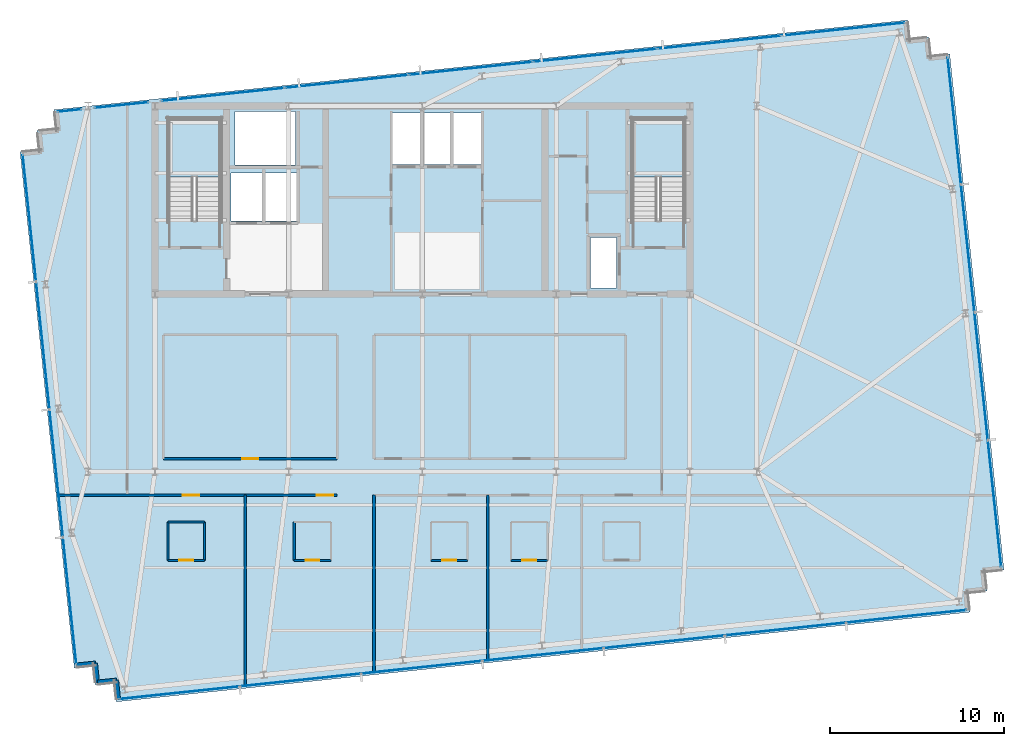
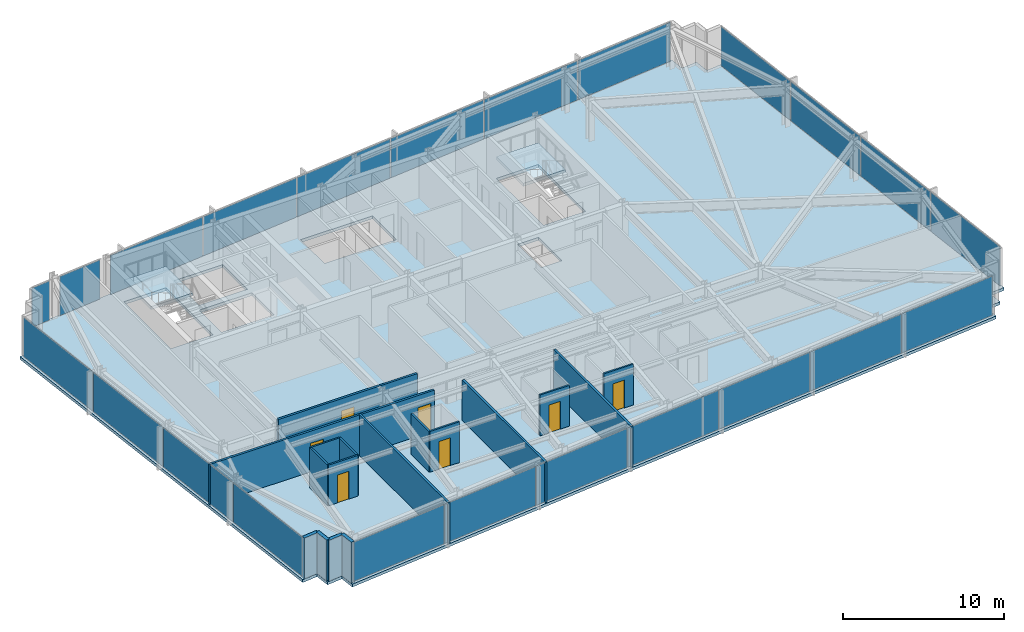
# One storey, part 26 of 33: 23 plates, 17 walls, 7 doors, 3 slabs, 7 openings, 8 elements without a shape of their own.
"""IFC4 building model written with IfcOpenShell, lengths in metres."""

import ifcopenshell
import ifcopenshell.guid

model = None  # the IFC model being written
_history = None  # IfcOwnerHistory: only IFC2X3 demands one
_inside = {}  # id of a spatial element -> (the spatial element, [elements in it])
_under = {}  # id of a project, library or spatial element -> (it, [spatial elements below it])
_declared = {}  # id of a project -> (the project, [libraries it declares])
_typed = {}  # id of a type object -> (the type object, [elements of that type])
_made_of = {}  # id of a material, layer set ... -> (it, [elements and type objects made of it])


def new_model(schema):
    """Start an empty IFC model of exactly this schema.

    Asked for "IFC4X3", IfcOpenShell would pick the latest addendum, in which some entities
    have other attributes; the version numbers below select the first issue.
    IFC2X3 requires an IfcOwnerHistory on every rooted entity: one is made here for all.
    """
    global model, _history
    if schema == "IFC4X3":
        model = ifcopenshell.file(schema_version=(4, 3, 0, 0))
    else:
        model = ifcopenshell.file(schema=schema)
    _inside.clear()
    _under.clear()
    _declared.clear()
    _typed.clear()
    _made_of.clear()
    _history = None
    if model.schema == "IFC2X3":
        org = make("IfcOrganization", Name="unknown")
        user = make(
            "IfcPersonAndOrganization",
            ThePerson=make("IfcPerson", FamilyName="unknown"),
            TheOrganization=org,
        )
        app = make(
            "IfcApplication",
            ApplicationDeveloper=org,
            Version="unknown",
            ApplicationFullName="unknown",
            ApplicationIdentifier="unknown",
        )
        _history = make(
            "IfcOwnerHistory",
            OwningUser=user,
            OwningApplication=app,
            ChangeAction="ADDED",
            CreationDate=0,
        )
    return model


def make(cls, **values):
    """One entity of the class cls with the attributes given. An attribute that is None is left unset."""
    return model.create_entity(
        cls, **{name: value for name, value in values.items() if value is not None}
    )


def rooted(cls, **values):
    """An entity with a GlobalId (a new one), such as an element, a storey or a relation."""
    return make(cls, GlobalId=ifcopenshell.guid.new(), OwnerHistory=_history, **values)


def si_unit(unit_type, name, prefix=None):
    """IfcSIUnit, for example si_unit("LENGTHUNIT", "METRE", prefix="MILLI")."""
    return make("IfcSIUnit", UnitType=unit_type, Prefix=prefix, Name=name)


def assignment(units):
    """IfcUnitAssignment: the units of a project."""
    return None if units is None else make("IfcUnitAssignment", Units=units)


def point(xyz):
    """IfcCartesianPoint."""
    return None if xyz is None else make("IfcCartesianPoint", Coordinates=xyz)


def direction(xyz):
    """IfcDirection."""
    return None if xyz is None else make("IfcDirection", DirectionRatios=xyz)


def frame(location, z_axis=None, x_axis=None):
    """IfcAxis2Placement3D, a coordinate frame: its origin and axes. An axis left out is left unset."""
    return make(
        "IfcAxis2Placement3D",
        Location=point(location),
        Axis=direction(z_axis),
        RefDirection=direction(x_axis),
    )


def frame_2d(location, x_axis=None):
    """IfcAxis2Placement2D, a coordinate frame in the plane: its origin and x axis."""
    return make(
        "IfcAxis2Placement2D", Location=point(location), RefDirection=direction(x_axis)
    )


def origin():
    """The frame at (0, 0, 0) with its axes left unset."""
    return frame((0.0, 0.0, 0.0))


def origin_2d():
    """The frame at (0, 0) in the plane with its x axis left unset."""
    return frame_2d((0.0, 0.0))


def place(relative_to, where):
    """IfcLocalPlacement: puts the frame where relative to a parent placement (None: the world)."""
    return make(
        "IfcLocalPlacement", PlacementRelTo=relative_to, RelativePlacement=where
    )


def context(
    kind, dimensions, precision=None, world=None, true_north=None, identifier=None
):
    """IfcGeometricRepresentationContext, for example the 3D "Model" context."""
    return make(
        "IfcGeometricRepresentationContext",
        ContextIdentifier=identifier,
        ContextType=kind,
        CoordinateSpaceDimension=dimensions,
        Precision=precision,
        WorldCoordinateSystem=world,
        TrueNorth=true_north,
    )


def subcontext(parent, identifier, kind, view, scale=None):
    """IfcGeometricRepresentationSubContext, for example "Body" below "Model"."""
    return make(
        "IfcGeometricRepresentationSubContext",
        ContextIdentifier=identifier,
        ContextType=kind,
        ParentContext=parent,
        TargetScale=scale,
        TargetView=view,
    )


def project(units=None, contexts=None):
    """IfcProject with its units and contexts."""
    return rooted(
        "IfcProject",
        Name="project",
        RepresentationContexts=contexts,
        UnitsInContext=assignment(units),
    )


def spatial(cls, under=None, at=None, **own):
    """A site, building, storey or space (cls), placed at a placement, below another one or the project."""
    s = rooted(cls, ObjectPlacement=at, **own)
    if under is not None:
        _under.setdefault(under.id(), (under, []))[1].append(s)
    return s


def polyline(points):
    """IfcPolyline through the points."""
    return make("IfcPolyline", Points=[point(p) for p in points])


def profile(cls, at=None, kind="AREA", **sizes):
    """A parametric profile (cls). Its sizes go by their IFC names, for example OverallWidth=200.0."""
    return make(cls, ProfileType=kind, Position=at, **sizes)


def rectangle(**sizes):
    """IfcRectangleProfileDef."""
    return profile("IfcRectangleProfileDef", **sizes)


def outline(outer, holes=None, kind="AREA"):
    """IfcArbitraryClosedProfileDef: a profile drawn as a closed curve; with holes, ...WithVoids."""
    if holes is None:
        return make("IfcArbitraryClosedProfileDef", ProfileType=kind, OuterCurve=outer)
    return make(
        "IfcArbitraryProfileDefWithVoids",
        ProfileType=kind,
        OuterCurve=outer,
        InnerCurves=holes,
    )


def extrude(swept, where, along, depth):
    """IfcExtrudedAreaSolid: the profile swept, set in the frame where, extruded along a direction by depth."""
    return make(
        "IfcExtrudedAreaSolid",
        SweptArea=swept,
        Position=where,
        ExtrudedDirection=direction(along),
        Depth=depth,
    )


def shape(context_of_items, identifier, shape_type, items):
    """IfcShapeRepresentation: the items that make up one representation, for example the "Body"."""
    return make(
        "IfcShapeRepresentation",
        ContextOfItems=context_of_items,
        RepresentationIdentifier=identifier,
        RepresentationType=shape_type,
        Items=items,
    )


def material(Name=None, Category=None):
    """IfcMaterial."""
    return make("IfcMaterial", Name=Name, Category=Category)


def layer(
    of_material, thickness, ventilated=None, Name=None, Category=None, Priority=None
):
    """IfcMaterialLayer: one layer of a wall or slab, of a material (None: an air gap)."""
    return make(
        "IfcMaterialLayer",
        Material=of_material,
        LayerThickness=thickness,
        IsVentilated=ventilated,
        Name=Name,
        Category=Category,
        Priority=Priority,
    )


def layer_set(layers, Name=None):
    """IfcMaterialLayerSet."""
    return make("IfcMaterialLayerSet", MaterialLayers=layers, LayerSetName=Name)


def made_of(thing, what):
    """Note that an element or type object is made of a material, layer set ...; save() writes the relation."""
    if what is not None:
        _made_of.setdefault(what.id(), (what, []))[1].append(thing)
    return thing


def type_object(cls, material=None, **own):
    """A type object (cls), such as IfcWallType, which elements share."""
    return made_of(rooted(cls, **own), material)


def element(
    cls,
    number,
    at=None,
    inside=None,
    cuts=None,
    type_object=None,
    material=None,
    context=None,
    identifier="Body",
    shape_type=None,
    held_by="IfcProductDefinitionShape",
    body=None,
    shapes=None,
    **own,
):
    """One element of the class cls, such as IfcWall. Its Tag is "e" and its number.

    at: its placement. inside: the storey or other place that contains it. cuts: it is an
    opening in that element (IfcRelVoidsElement). A single representation is given by context,
    identifier, shape_type and body (its items); several are given by shapes. held_by: the class
    of the entity that holds the representations. save() writes the other relations.
    """
    e = rooted(cls, Tag="e%d" % number, ObjectPlacement=at, **own)
    if body is not None:
        shapes = [shape(context, identifier, shape_type, body)]
    if shapes is not None:
        e.Representation = make(held_by, Representations=shapes)
    if inside is not None:
        _inside.setdefault(inside.id(), (inside, []))[1].append(e)
    if cuts is not None:
        rooted(
            "IfcRelVoidsElement", RelatingBuildingElement=cuts, RelatedOpeningElement=e
        )
    if type_object is not None:
        _typed.setdefault(type_object.id(), (type_object, []))[1].append(e)
    return made_of(e, material)


def fill(opening, filler):
    """IfcRelFillsElement: the door or window that sits in an opening."""
    return rooted(
        "IfcRelFillsElement",
        RelatingOpeningElement=opening,
        RelatedBuildingElement=filler,
    )


def aggregate(whole, parts):
    """IfcRelAggregates: a whole, such as a stair, and the parts it consists of."""
    return rooted("IfcRelAggregates", RelatingObject=whole, RelatedObjects=parts)


def save(model, path):
    """Write the relations noted so far, then the file.

    IfcRelAggregates (storeys below a building ...), IfcRelContainedInSpatialStructure (elements
    in a storey), IfcRelDefinesByType, IfcRelAssociatesMaterial and IfcRelDeclares: one each for
    every whole, place, type object, material and project.
    """
    for whole, parts in _under.values():
        aggregate(whole, parts)
    for where, things in _inside.values():
        rooted(
            "IfcRelContainedInSpatialStructure",
            RelatedElements=things,
            RelatingStructure=where,
        )
    for kind, things in _typed.values():
        rooted("IfcRelDefinesByType", RelatedObjects=things, RelatingType=kind)
    for what, things in _made_of.values():
        rooted("IfcRelAssociatesMaterial", RelatedObjects=things, RelatingMaterial=what)
    for by, libraries in _declared.values():
        rooted("IfcRelDeclares", RelatingContext=by, RelatedDefinitions=libraries)
    model.write(path)


model = new_model("IFC4")

# Units and contexts
model_context = context("Model", 3, precision=1e-05, world=origin(), true_north=direction((0.0, 1.0)))
body_context = subcontext(model_context, "Body", "Model", "MODEL_VIEW")
ifc_project = project(units=[si_unit("LENGTHUNIT", "METRE"), si_unit("AREAUNIT", "SQUARE_METRE"), si_unit("VOLUMEUNIT", "CUBIC_METRE"), si_unit("PLANEANGLEUNIT", "RADIAN"), si_unit("MASSUNIT", "GRAM", prefix="KILO")], contexts=[model_context])

# Site, building, storey
site_placement = place(None, origin())
site = spatial("IfcSite", under=ifc_project, at=site_placement, CompositionType="ELEMENT")
building_placement = place(site_placement, origin())
building = spatial("IfcBuilding", under=site, at=building_placement, Name="Yelkora Congress Tower", CompositionType="ELEMENT")
storey_placement = place(building_placement, frame((0.0, 0.0, 221.0)))
storey = spatial("IfcBuildingStorey", under=building, at=storey_placement, Name="L61", CompositionType="ELEMENT", Elevation=221.0)

# Curtain wall, plates
ifc_material_1 = material(Name="Anodised aluminium and insulated glass", Category="aluminium")
curtain_wall_type = type_object("IfcCurtainWallType", Name="CW-SYS-B4", PredefinedType="NOTDEFINED", material=ifc_material_1)
curtain_wall_1_placement = place(storey_placement, origin())
curtain_wall_1 = element("IfcCurtainWall", 1, at=curtain_wall_1_placement, inside=storey, type_object=curtain_wall_type, Name="L61 Unitised Curtain Wall 5", PredefinedType="NOTDEFINED")
ifc_material_2 = material(Name="Triple-silver diplomatic glass unit B4", Category="glass")
ifc_layer_1 = layer(ifc_material_2, 0.035888671875)
ifc_layer_set_1 = layer_set([ifc_layer_1], Name="Triple-silver diplomatic glass unit B4")
plate_type = type_object("IfcPlateType", Name="PLT-PN-B4", PredefinedType="CURTAIN_PANEL", material=ifc_layer_set_1)
plate_1_placement = place(storey_placement, frame((18.139404296875, 17.7724609375, 0.06005859375), z_axis=(0.0, 0.0, 1.0), x_axis=(-0.104526079034, 0.994522145958, 0.0)))
plate_1 = element("IfcPlate", 2, at=plate_1_placement, type_object=plate_type, Name="CW-B4 panel 1.1", PredefinedType="CURTAIN_PANEL", context=body_context, shape_type="SweptSolid", body=[
    extrude(rectangle(XDim=7.282470703125, YDim=0.035888671875, at=origin_2d()), origin(), (0.0, 0.0, 1.0), 2.9599609375),
])
plate_2_placement = place(storey_placement, frame((17.36962890625, 25.095703125, 0.06005859375), z_axis=(0.0, 0.0, 1.0), x_axis=(-0.104526079034, 0.994522145958, 0.0)))
plate_2 = element("IfcPlate", 3, at=plate_2_placement, type_object=plate_type, Name="CW-B4 panel 2.1", PredefinedType="CURTAIN_PANEL", context=body_context, shape_type="SweptSolid", body=[
    extrude(rectangle(XDim=7.31494140625, YDim=0.035888671875, at=origin_2d()), origin(), (0.0, 0.0, 1.0), 2.9599609375),
])
plate_3_placement = place(storey_placement, frame((16.59814453125, 32.435302734375, 0.06005859375), z_axis=(0.0, 0.0, 1.0), x_axis=(-0.104526079034, 0.994522145958, 0.0)))
plate_3 = element("IfcPlate", 4, at=plate_3_placement, type_object=plate_type, Name="CW-B4 panel 3.1", PredefinedType="CURTAIN_PANEL", context=body_context, shape_type="SweptSolid", body=[
    extrude(rectangle(XDim=7.31494140625, YDim=0.035888671875, at=origin_2d()), origin(), (0.0, 0.0, 1.0), 2.9599609375),
])
plate_4_placement = place(storey_placement, frame((15.82861328125, 39.7587890625, 0.06005859375), z_axis=(0.0, 0.0, 1.0), x_axis=(-0.104526079034, 0.994522145958, 0.0)))
plate_4 = element("IfcPlate", 5, at=plate_4_placement, type_object=plate_type, Name="CW-B4 panel 4.1", PredefinedType="CURTAIN_PANEL", context=body_context, shape_type="SweptSolid", body=[
    extrude(rectangle(XDim=7.282470703125, YDim=0.035888671875, at=origin_2d()), origin(), (0.0, 0.0, 1.0), 2.9599609375),
])
aggregate(curtain_wall_1, [plate_1, plate_2, plate_3, plate_4])

# Curtain wall, plate
curtain_wall_2_placement = place(storey_placement, origin())
curtain_wall_2 = element("IfcCurtainWall", 6, at=curtain_wall_2_placement, inside=storey, type_object=curtain_wall_type, Name="L61 Unitised Curtain Wall 10 (1)", PredefinedType="NOTDEFINED")
plate_5_placement = place(storey_placement, frame((18.136474609375, 45.940185546875, 0.06005859375), z_axis=(0.0, 0.0, 1.0), x_axis=(0.994523910137, 0.104509292244, 0.0)))
plate_5 = element("IfcPlate", 7, at=plate_5_placement, type_object=plate_type, Name="CW-B4 panel 1.1", PredefinedType="CURTAIN_PANEL", context=body_context, shape_type="SweptSolid", body=[
    extrude(rectangle(XDim=1.35302734375, YDim=0.035888671875, at=origin_2d()), origin(), (0.0, 0.0, 1.0), 2.9599609375),
])
aggregate(curtain_wall_2, [plate_5])

curtain_wall_3_placement = place(storey_placement, origin())
curtain_wall_3 = element("IfcCurtainWall", 8, at=curtain_wall_3_placement, inside=storey, type_object=curtain_wall_type, Name="L61 Unitised Curtain Wall 10 (2)", PredefinedType="NOTDEFINED")
plate_6_placement = place(storey_placement, frame((21.1201171875, 46.253662109375, 0.06005859375), z_axis=(0.0, 0.0, 1.0), x_axis=(0.994524239868, 0.104506154437, 0.0)))
plate_6 = element("IfcPlate", 9, at=plate_6_placement, type_object=plate_type, Name="CW-B4 panel 1.1", PredefinedType="CURTAIN_PANEL", context=body_context, shape_type="SweptSolid", body=[
    extrude(rectangle(XDim=3.075439453125, YDim=0.035888671875, at=origin_2d()), origin(), (0.0, 0.0, 1.0), 2.9599609375),
])
aggregate(curtain_wall_3, [plate_6])

# Curtain wall, plates
curtain_wall_4_placement = place(storey_placement, origin())
curtain_wall_4 = element("IfcCurtainWall", 10, at=curtain_wall_4_placement, inside=storey, type_object=curtain_wall_type, Name="L61 Unitised Curtain Wall 10 (3)", PredefinedType="NOTDEFINED")
plate_7_placement = place(storey_placement, frame((26.947509765625, 46.8662109375, 0.06005859375), z_axis=(0.0, 0.0, 1.0), x_axis=(0.994521973066, 0.104527724021, 0.0)))
plate_7 = element("IfcPlate", 11, at=plate_7_placement, type_object=plate_type, Name="CW-B4 panel 1.1", PredefinedType="CURTAIN_PANEL", context=body_context, shape_type="SweptSolid", body=[
    extrude(rectangle(XDim=7.072509765625, YDim=0.035888671875, at=origin_2d()), origin(), (0.0, 0.0, 1.0), 2.9599609375),
])
plate_8_placement = place(storey_placement, frame((34.06201171875, 47.614013671875, 0.06005859375), z_axis=(0.0, 0.0, 1.0), x_axis=(0.994521973066, 0.104527724021, 0.0)))
plate_8 = element("IfcPlate", 12, at=plate_8_placement, type_object=plate_type, Name="CW-B4 panel 2.1", PredefinedType="CURTAIN_PANEL", context=body_context, shape_type="SweptSolid", body=[
    extrude(rectangle(XDim=7.10498046875, YDim=0.035888671875, at=origin_2d()), origin(), (0.0, 0.0, 1.0), 2.9599609375),
])
plate_9_placement = place(storey_placement, frame((41.19287109375, 48.363525390625, 0.06005859375), z_axis=(0.0, 0.0, 1.0), x_axis=(0.994521973066, 0.104527724021, 0.0)))
plate_9 = element("IfcPlate", 13, at=plate_9_placement, type_object=plate_type, Name="CW-B4 panel 3.1", PredefinedType="CURTAIN_PANEL", context=body_context, shape_type="SweptSolid", body=[
    extrude(rectangle(XDim=7.10498046875, YDim=0.035888671875, at=origin_2d()), origin(), (0.0, 0.0, 1.0), 2.9599609375),
])
plate_10_placement = place(storey_placement, frame((48.32373046875, 49.113037109375, 0.06005859375), z_axis=(0.0, 0.0, 1.0), x_axis=(0.994521973066, 0.104527724021, 0.0)))
plate_10 = element("IfcPlate", 14, at=plate_10_placement, type_object=plate_type, Name="CW-B4 panel 4.1", PredefinedType="CURTAIN_PANEL", context=body_context, shape_type="SweptSolid", body=[
    extrude(rectangle(XDim=7.10498046875, YDim=0.035888671875, at=origin_2d()), origin(), (0.0, 0.0, 1.0), 2.9599609375),
])
plate_11_placement = place(storey_placement, frame((55.454345703125, 49.8623046875, 0.06005859375), z_axis=(0.0, 0.0, 1.0), x_axis=(0.994521973066, 0.104527724021, 0.0)))
plate_11 = element("IfcPlate", 15, at=plate_11_placement, type_object=plate_type, Name="CW-B4 panel 5.1", PredefinedType="CURTAIN_PANEL", context=body_context, shape_type="SweptSolid", body=[
    extrude(rectangle(XDim=7.10498046875, YDim=0.035888671875, at=origin_2d()), origin(), (0.0, 0.0, 1.0), 2.9599609375),
])
plate_12_placement = place(storey_placement, frame((62.56884765625, 50.610107421875, 0.06005859375), z_axis=(0.0, 0.0, 1.0), x_axis=(0.994521973066, 0.104527724021, 0.0)))
plate_12 = element("IfcPlate", 16, at=plate_12_placement, type_object=plate_type, Name="CW-B4 panel 6.1", PredefinedType="CURTAIN_PANEL", context=body_context, shape_type="SweptSolid", body=[
    extrude(rectangle(XDim=7.072509765625, YDim=0.035888671875, at=origin_2d()), origin(), (0.0, 0.0, 1.0), 2.9599609375),
])
aggregate(curtain_wall_4, [plate_7, plate_8, plate_9, plate_10, plate_11, plate_12])

curtain_wall_5_placement = place(storey_placement, origin())
curtain_wall_5 = element("IfcCurtainWall", 17, at=curtain_wall_5_placement, inside=storey, type_object=curtain_wall_type, Name="L61 Unitised Curtain Wall 15", PredefinedType="NOTDEFINED")
plate_13_placement = place(storey_placement, frame((68.955810546875, 45.3427734375, 0.06005859375), z_axis=(0.0, 0.0, 1.0), x_axis=(0.104525726898, -0.994522182968, 0.0)))
plate_13 = element("IfcPlate", 18, at=plate_13_placement, type_object=plate_type, Name="CW-B4 panel 1.1", PredefinedType="CURTAIN_PANEL", context=body_context, shape_type="SweptSolid", body=[
    extrude(rectangle(XDim=7.282470703125, YDim=0.035888671875, at=origin_2d()), origin(), (0.0, 0.0, 1.0), 2.9599609375),
])
plate_14_placement = place(storey_placement, frame((69.7255859375, 38.019287109375, 0.06005859375), z_axis=(0.0, 0.0, 1.0), x_axis=(0.104525726898, -0.994522182968, 0.0)))
plate_14 = element("IfcPlate", 19, at=plate_14_placement, type_object=plate_type, Name="CW-B4 panel 2.1", PredefinedType="CURTAIN_PANEL", context=body_context, shape_type="SweptSolid", body=[
    extrude(rectangle(XDim=7.31494140625, YDim=0.035888671875, at=origin_2d()), origin(), (0.0, 0.0, 1.0), 2.9599609375),
])
plate_15_placement = place(storey_placement, frame((70.496826171875, 30.6796875, 0.06005859375), z_axis=(0.0, 0.0, 1.0), x_axis=(0.104525726898, -0.994522182968, 0.0)))
plate_15 = element("IfcPlate", 20, at=plate_15_placement, type_object=plate_type, Name="CW-B4 panel 3.1", PredefinedType="CURTAIN_PANEL", context=body_context, shape_type="SweptSolid", body=[
    extrude(rectangle(XDim=7.31494140625, YDim=0.035888671875, at=origin_2d()), origin(), (0.0, 0.0, 1.0), 2.9599609375),
])
plate_16_placement = place(storey_placement, frame((71.2666015625, 23.356201171875, 0.06005859375), z_axis=(0.0, 0.0, 1.0), x_axis=(0.104525726898, -0.994522182968, 0.0)))
plate_16 = element("IfcPlate", 21, at=plate_16_placement, type_object=plate_type, Name="CW-B4 panel 4.1", PredefinedType="CURTAIN_PANEL", context=body_context, shape_type="SweptSolid", body=[
    extrude(rectangle(XDim=7.282470703125, YDim=0.035888671875, at=origin_2d()), origin(), (0.0, 0.0, 1.0), 2.9599609375),
])
aggregate(curtain_wall_5, [plate_13, plate_14, plate_15, plate_16])

curtain_wall_6_placement = place(storey_placement, origin())
curtain_wall_6 = element("IfcCurtainWall", 22, at=curtain_wall_6_placement, inside=storey, type_object=curtain_wall_type, Name="L61 Unitised Curtain Wall 20", PredefinedType="NOTDEFINED")
plate_17_placement = place(storey_placement, frame((66.19775390625, 16.884765625, 0.06005859375), z_axis=(0.0, 0.0, 1.0), x_axis=(-0.994522084373, -0.104526664994, 0.0)))
plate_17 = element("IfcPlate", 23, at=plate_17_placement, type_object=plate_type, Name="CW-B4 panel 1.1", PredefinedType="CURTAIN_PANEL", context=body_context, shape_type="SweptSolid", body=[
    extrude(rectangle(XDim=6.9052734375, YDim=0.035888671875, at=origin_2d()), origin(), (0.0, 0.0, 1.0), 2.9599609375),
])
plate_18_placement = place(storey_placement, frame((59.249267578125, 16.154541015625, 0.06005859375), z_axis=(0.0, 0.0, 1.0), x_axis=(-0.994522084373, -0.104526664994, 0.0)))
plate_18 = element("IfcPlate", 24, at=plate_18_placement, type_object=plate_type, Name="CW-B4 panel 2.1", PredefinedType="CURTAIN_PANEL", context=body_context, shape_type="SweptSolid", body=[
    extrude(rectangle(XDim=6.937744140625, YDim=0.035888671875, at=origin_2d()), origin(), (0.0, 0.0, 1.0), 2.9599609375),
])
plate_19_placement = place(storey_placement, frame((52.284912109375, 15.42236328125, 0.06005859375), z_axis=(0.0, 0.0, 1.0), x_axis=(-0.994522084373, -0.104526664994, 0.0)))
plate_19 = element("IfcPlate", 25, at=plate_19_placement, type_object=plate_type, Name="CW-B4 panel 3.1", PredefinedType="CURTAIN_PANEL", context=body_context, shape_type="SweptSolid", body=[
    extrude(rectangle(XDim=6.937744140625, YDim=0.035888671875, at=origin_2d()), origin(), (0.0, 0.0, 1.0), 2.9599609375),
])
plate_20_placement = place(storey_placement, frame((45.3203125, 14.6904296875, 0.06005859375), z_axis=(0.0, 0.0, 1.0), x_axis=(-0.994522084373, -0.104526664994, 0.0)))
plate_20 = element("IfcPlate", 26, at=plate_20_placement, type_object=plate_type, Name="CW-B4 panel 4.1", PredefinedType="CURTAIN_PANEL", context=body_context, shape_type="SweptSolid", body=[
    extrude(rectangle(XDim=6.937744140625, YDim=0.035888671875, at=origin_2d()), origin(), (0.0, 0.0, 1.0), 2.9599609375),
])
plate_21_placement = place(storey_placement, frame((38.35595703125, 13.95849609375, 0.06005859375), z_axis=(0.0, 0.0, 1.0), x_axis=(-0.994522084373, -0.104526664994, 0.0)))
plate_21 = element("IfcPlate", 27, at=plate_21_placement, type_object=plate_type, Name="CW-B4 panel 5.1", PredefinedType="CURTAIN_PANEL", context=body_context, shape_type="SweptSolid", body=[
    extrude(rectangle(XDim=6.937744140625, YDim=0.035888671875, at=origin_2d()), origin(), (0.0, 0.0, 1.0), 2.9599609375),
])
plate_22_placement = place(storey_placement, frame((31.391357421875, 13.2265625, 0.06005859375), z_axis=(0.0, 0.0, 1.0), x_axis=(-0.994522084373, -0.104526664994, 0.0)))
plate_22 = element("IfcPlate", 28, at=plate_22_placement, type_object=plate_type, Name="CW-B4 panel 6.1", PredefinedType="CURTAIN_PANEL", context=body_context, shape_type="SweptSolid", body=[
    extrude(rectangle(XDim=6.937744140625, YDim=0.035888671875, at=origin_2d()), origin(), (0.0, 0.0, 1.0), 2.9599609375),
])
plate_23_placement = place(storey_placement, frame((24.443115234375, 12.49609375, 0.06005859375), z_axis=(0.0, 0.0, 1.0), x_axis=(-0.994522084373, -0.104526664994, 0.0)))
plate_23 = element("IfcPlate", 29, at=plate_23_placement, type_object=plate_type, Name="CW-B4 panel 7.1", PredefinedType="CURTAIN_PANEL", context=body_context, shape_type="SweptSolid", body=[
    extrude(rectangle(XDim=6.9052734375, YDim=0.035888671875, at=origin_2d()), origin(), (0.0, 0.0, 1.0), 2.9599609375),
])
aggregate(curtain_wall_6, [plate_17, plate_18, plate_19, plate_20, plate_21, plate_22, plate_23])

# Stair, slab
ifc_material_3 = material(Name="Concrete C40/50", Category="concrete")
stair_type = type_object("IfcStairType", Name="STAIR-HT-1420-R20-165", PredefinedType="HALF_TURN_STAIR", material=ifc_material_3)
stair_1_placement = place(storey_placement, origin())
stair_1 = element("IfcStair", 30, at=stair_1_placement, inside=storey, type_object=stair_type, Name="West Core Protected Exit Stair ST-01 (L61)", PredefinedType="HALF_TURN_STAIR")
ifc_layer_2 = layer(ifc_material_3, 0.219970703125)
ifc_layer_set_2 = layer_set([ifc_layer_2], Name="Concrete C40/50")
slab_type_1 = type_object("IfcSlabType", Name="SLAB-LANDING-220", PredefinedType="LANDING", material=ifc_layer_set_2)
slab_1_placement = place(storey_placement, frame((0.0, 0.0, 1.429931640625)))
slab_1 = element("IfcSlab", 31, at=slab_1_placement, type_object=slab_type_1, Name="ST-01 L61 Half Landing 1", PredefinedType="LANDING", context=body_context, shape_type="SweptSolid", body=[
    extrude(outline(polyline([(26.820068359375, 42.1201171875), (26.820068359375, 45.469970703125), (23.820068359375, 45.469970703125), (23.820068359375, 42.1201171875), (26.820068359375, 42.1201171875)])), origin(), (0.0, 0.0, 1.0), 0.219970703125),
])
aggregate(stair_1, [slab_1])

stair_2_placement = place(storey_placement, origin())
stair_2 = element("IfcStair", 32, at=stair_2_placement, inside=storey, type_object=stair_type, Name="East Core Protected Exit Stair ST-02 (L61)", PredefinedType="HALF_TURN_STAIR")
slab_2_placement = place(storey_placement, frame((0.0, 0.0, 1.429931640625)))
slab_2 = element("IfcSlab", 33, at=slab_2_placement, type_object=slab_type_1, Name="ST-02 L61 Half Landing 1", PredefinedType="LANDING", context=body_context, shape_type="SweptSolid", body=[
    extrude(outline(polyline([(53.4599609375, 42.1201171875), (53.4599609375, 45.469970703125), (50.4599609375, 45.469970703125), (50.4599609375, 42.1201171875), (53.4599609375, 42.1201171875)])), origin(), (0.0, 0.0, 1.0), 0.219970703125),
])
aggregate(stair_2, [slab_2])

# Slab
ifc_layer_3 = layer(ifc_material_3, 0.219970703125)
ifc_layer_set_3 = layer_set([ifc_layer_3], Name="Concrete C40/50")
slab_type_2 = type_object("IfcSlabType", Name="SLAB-TWR-220", PredefinedType="FLOOR", material=ifc_layer_set_3)
slab_3_placement = place(storey_placement, frame((0.0, 0.0, -0.219970703125)))
element("IfcSlab", 34, at=slab_3_placement, inside=storey, type_object=slab_type_2, Name="L61 Structural Floor Slab", PredefinedType="FLOOR", context=body_context, shape_type="SweptSolid", body=[
    extrude(outline(polyline([(20.820068359375, 11.974609375), (69.85009765625, 17.127685546875), (69.735107421875, 18.2216796875), (70.828857421875, 18.3369140625), (70.714111328125, 19.430908203125), (71.807861328125, 19.545654296875), (68.693115234375, 49.1826171875), (67.59912109375, 49.0673828125), (67.48388671875, 50.16162109375), (66.39013671875, 50.04638671875), (66.275146484375, 51.140380859375), (17.2451171875, 45.9873046875), (17.360107421875, 44.893310546875), (16.26611328125, 44.7783203125), (16.381103515625, 43.684326171875), (15.287109375, 43.5693359375), (18.402099609375, 13.9326171875), (19.49609375, 14.047607421875), (19.611083984375, 12.95361328125), (20.705078125, 13.068603515625), (20.820068359375, 11.974609375)]), holes=[polyline([(23.820068359375, 39.6298828125), (26.820068359375, 39.6298828125), (26.820068359375, 45.469970703125), (23.820068359375, 45.469970703125), (23.820068359375, 39.6298828125)]), polyline([(50.4599609375, 39.6298828125), (53.4599609375, 39.6298828125), (53.4599609375, 45.469970703125), (50.4599609375, 45.469970703125), (50.4599609375, 39.6298828125)]), polyline([(48.050048828125, 35.75), (49.550048828125, 35.75), (49.550048828125, 38.64990234375), (48.050048828125, 38.64990234375), (48.050048828125, 35.75)]), polyline([(36.64990234375, 42.85009765625), (41.800048828125, 42.85009765625), (41.800048828125, 45.800048828125), (36.64990234375, 45.800048828125), (36.64990234375, 42.85009765625)]), polyline([(27.419921875, 39.60009765625), (31.179931640625, 39.60009765625), (31.179931640625, 42.35009765625), (27.419921875, 42.35009765625), (27.419921875, 39.60009765625)]), polyline([(27.64990234375, 42.820068359375), (31.1201171875, 42.820068359375), (31.1201171875, 45.8798828125), (27.64990234375, 45.8798828125), (27.64990234375, 42.820068359375)])]), origin(), (0.0, 0.0, 1.0), 0.219970703125),
])

# Walls
ifc_layer_4 = layer(ifc_material_3, 0.239990234375)
ifc_layer_set_4 = layer_set([ifc_layer_4], Name="Concrete C40/50")
wall_type_1 = type_object("IfcWallType", Name="WALL-EXT-LIMESTONE-240", PredefinedType="SOLIDWALL", material=ifc_layer_set_4)
for number, where, z_axis, x_axis, name in (
    (35, (20.944580078125, 12.12841796875, 0.0), (0.0, 0.0, 1.0), (-0.104534592565, 0.994521251134, 0.0), "L61 Serrated Corner Limestone Pier 1"),
    (36, (20.82958984375, 13.222412109375, 0.0), (0.0, 0.0, 1.0), (-0.994521251134, -0.104534592565, 0.0), "L61 Serrated Corner Limestone Pier 2"),
    (37, (19.735595703125, 13.107421875, 0.0), (0.0, 0.0, 1.0), (-0.104534592565, 0.994521251134, 0.0), "L61 Serrated Corner Limestone Pier 3"),
    (38, (19.62060546875, 14.201416015625, 0.0), (0.0, 0.0, 1.0), (-0.994521251134, -0.104534592565, 0.0), "L61 Serrated Corner Limestone Pier 4"),
):
    element("IfcWall", number, at=place(storey_placement, frame(where, z_axis=z_axis, x_axis=x_axis)), inside=storey, type_object=wall_type_1, Name=name, PredefinedType="SOLIDWALL", context=body_context, shape_type="SweptSolid", body=[
        extrude(rectangle(XDim=1.10009765625, YDim=0.239990234375, at=frame_2d((0.550048828125, 0.0))), origin(), (0.0, 0.0, 1.0), 3.080078125),
    ])
ifc_material_4 = material(Name="Moisture-resistant gypsum partition", Category="gypsum")
ifc_layer_5 = layer(ifc_material_4, 0.1201171875)
ifc_layer_set_5 = layer_set([ifc_layer_5], Name="Moisture-resistant gypsum partition")
wall_type_2 = type_object("IfcWallType", Name="WALL-INT-120-NR", PredefinedType="PARTITIONING", material=ifc_layer_set_5)
wall_1_placement = place(storey_placement, frame((23.779052734375, 22.300048828125, 0.0), z_axis=(0.0, 0.0, 1.0), x_axis=(1.0, 0.0, 0.0)))
element("IfcWall", 39, at=wall_1_placement, inside=storey, type_object=wall_type_2, Name="L61 Partition Wall 23", PredefinedType="PARTITIONING", context=body_context, shape_type="SweptSolid", body=[
    extrude(rectangle(XDim=2.099853515625, YDim=0.1201171875, at=frame_2d((1.0498046875, 0.0))), origin(), (0.0, 0.0, 1.0), 3.080078125),
])
for number, where, z_axis, x_axis, name in (
    (40, (23.779052734375, 20.10009765625, 0.0), (0.0, 0.0, 1.0), (0.0, 1.0, 0.0), "L61 Partition Wall 24"),
    (41, (25.87890625, 20.10009765625, 0.0), (0.0, 0.0, 1.0), (0.0, 1.0, 0.0), "L61 Partition Wall 25"),
):
    element("IfcWall", number, at=place(storey_placement, frame(where, z_axis=z_axis, x_axis=x_axis)), inside=storey, type_object=wall_type_2, Name=name, PredefinedType="PARTITIONING", context=body_context, shape_type="SweptSolid", body=[
        extrude(rectangle(XDim=2.199951171875, YDim=0.1201171875, at=frame_2d((1.10009765625, 0.0))), origin(), (0.0, 0.0, 1.0), 3.080078125),
    ])

# Wall, opening, door
wall_2_placement = place(storey_placement, frame((23.779052734375, 20.10009765625, 0.0), z_axis=(0.0, 0.0, 1.0), x_axis=(1.0, 0.0, 0.0)))
wall_2 = element("IfcWall", 42, at=wall_2_placement, inside=storey, type_object=wall_type_2, Name="L61 Partition Wall 26", PredefinedType="PARTITIONING", context=body_context, shape_type="SweptSolid", body=[
    extrude(rectangle(XDim=2.099853515625, YDim=0.1201171875, at=frame_2d((1.0498046875, 0.0))), origin(), (0.0, 0.0, 1.0), 3.080078125),
])
opening_1_placement = place(wall_2_placement, frame((0.64990234375, 0.0, 0.0)))
opening_1 = element("IfcOpeningElement", 43, at=opening_1_placement, cuts=wall_2, Name="Opening DR-080B", PredefinedType="OPENING", context=body_context, shape_type="SweptSolid", body=[
    extrude(rectangle(XDim=0.800048828125, YDim=2.10009765625, at=frame_2d((0.39990234375, 1.050048828125))), frame((0.0, 0.070068359375, 0.0), z_axis=(0.0, -1.0, 0.0), x_axis=(1.0, 0.0, 0.0)), (0.0, 0.0, 1.0), 0.14013671875),
])
ifc_material_5 = material(Name="Moisture-sealed en-suite timber door", Category="wood")
door_type_1 = type_object("IfcDoorType", Name="DOOR-BATH-800", OperationType="NOTDEFINED", PredefinedType="DOOR", material=ifc_material_5)
door_1_placement = place(opening_1_placement, origin())
door_1 = element("IfcDoor", 44, at=door_1_placement, inside=storey, type_object=door_type_1, Name="L61 En-suite Door 1", OperationType="SINGLE_SWING_RIGHT", OverallHeight=2.10009765625, OverallWidth=0.800048828125, PredefinedType="DOOR", context=body_context, shape_type="SweptSolid", body=[
    extrude(rectangle(XDim=0.800048828125, YDim=2.10009765625, at=frame_2d((0.39990234375, 1.050048828125))), frame((0.0, 0.02490234375, 0.0), z_axis=(0.0, -1.0, 0.0), x_axis=(1.0, 0.0, 0.0)), (0.0, 0.0, 1.0), 0.050048828125),
])
fill(opening_1, door_1)

# Wall
wall_3_placement = place(storey_placement, frame((31.0400390625, 20.10009765625, 0.0), z_axis=(0.0, 0.0, 1.0), x_axis=(0.0, 1.0, 0.0)))
element("IfcWall", 45, at=wall_3_placement, inside=storey, type_object=wall_type_2, Name="L61 Partition Wall 28", PredefinedType="PARTITIONING", context=body_context, shape_type="SweptSolid", body=[
    extrude(rectangle(XDim=2.199951171875, YDim=0.1201171875, at=frame_2d((1.10009765625, 0.0))), origin(), (0.0, 0.0, 1.0), 3.080078125),
])

# Wall, opening, door
wall_4_placement = place(storey_placement, frame((31.0400390625, 20.10009765625, 0.0), z_axis=(0.0, 0.0, 1.0), x_axis=(1.0, 0.0, 0.0)))
wall_4 = element("IfcWall", 46, at=wall_4_placement, inside=storey, type_object=wall_type_2, Name="L61 Partition Wall 30", PredefinedType="PARTITIONING", context=body_context, shape_type="SweptSolid", body=[
    extrude(rectangle(XDim=2.099853515625, YDim=0.1201171875, at=frame_2d((1.0498046875, 0.0))), origin(), (0.0, 0.0, 1.0), 3.080078125),
])
opening_2_placement = place(wall_4_placement, frame((0.64990234375, 0.0, 0.0)))
opening_2 = element("IfcOpeningElement", 47, at=opening_2_placement, cuts=wall_4, Name="Opening DR-080B", PredefinedType="OPENING", context=body_context, shape_type="SweptSolid", body=[
    extrude(rectangle(XDim=0.800048828125, YDim=2.10009765625, at=frame_2d((0.39990234375, 1.050048828125))), frame((0.0, 0.070068359375, 0.0), z_axis=(0.0, -1.0, 0.0), x_axis=(1.0, 0.0, 0.0)), (0.0, 0.0, 1.0), 0.14013671875),
])
door_2_placement = place(opening_2_placement, origin())
door_2 = element("IfcDoor", 48, at=door_2_placement, inside=storey, type_object=door_type_1, Name="L61 En-suite Door 2", OperationType="SINGLE_SWING_LEFT", OverallHeight=2.10009765625, OverallWidth=0.800048828125, PredefinedType="DOOR", context=body_context, shape_type="SweptSolid", body=[
    extrude(rectangle(XDim=0.800048828125, YDim=2.10009765625, at=frame_2d((0.39990234375, 1.050048828125))), frame((0.0, 0.02490234375, 0.0), z_axis=(0.0, -1.0, 0.0), x_axis=(1.0, 0.0, 0.0)), (0.0, 0.0, 1.0), 0.050048828125),
])
fill(opening_2, door_2)

wall_5_placement = place(storey_placement, frame((38.89990234375, 20.10009765625, 0.0), z_axis=(0.0, 0.0, 1.0), x_axis=(1.0, 0.0, 0.0)))
wall_5 = element("IfcWall", 49, at=wall_5_placement, inside=storey, type_object=wall_type_2, Name="L61 Partition Wall 35", PredefinedType="PARTITIONING", context=body_context, shape_type="SweptSolid", body=[
    extrude(rectangle(XDim=2.10009765625, YDim=0.1201171875, at=frame_2d((1.050048828125, 0.0))), origin(), (0.0, 0.0, 1.0), 3.080078125),
])
opening_3_placement = place(wall_5_placement, frame((0.64990234375, 0.0, 0.0)))
opening_3 = element("IfcOpeningElement", 50, at=opening_3_placement, cuts=wall_5, Name="Opening DR-080B", PredefinedType="OPENING", context=body_context, shape_type="SweptSolid", body=[
    extrude(rectangle(XDim=0.800048828125, YDim=2.10009765625, at=frame_2d((0.39990234375, 1.050048828125))), frame((0.0, 0.070068359375, 0.0), z_axis=(0.0, -1.0, 0.0), x_axis=(1.0, 0.0, 0.0)), (0.0, 0.0, 1.0), 0.14013671875),
])
door_3_placement = place(opening_3_placement, origin())
door_3 = element("IfcDoor", 51, at=door_3_placement, inside=storey, type_object=door_type_1, Name="L61 En-suite Door 4", OperationType="SINGLE_SWING_RIGHT", OverallHeight=2.10009765625, OverallWidth=0.800048828125, PredefinedType="DOOR", context=body_context, shape_type="SweptSolid", body=[
    extrude(rectangle(XDim=0.800048828125, YDim=2.10009765625, at=frame_2d((0.39990234375, 1.050048828125))), frame((0.0, 0.02490234375, 0.0), z_axis=(0.0, -1.0, 0.0), x_axis=(1.0, 0.0, 0.0)), (0.0, 0.0, 1.0), 0.050048828125),
])
fill(opening_3, door_3)

wall_6_placement = place(storey_placement, frame((43.47998046875, 20.10009765625, 0.0), z_axis=(0.0, 0.0, 1.0), x_axis=(1.0, 0.0, 0.0)))
wall_6 = element("IfcWall", 52, at=wall_6_placement, inside=storey, type_object=wall_type_2, Name="L61 Partition Wall 40", PredefinedType="PARTITIONING", context=body_context, shape_type="SweptSolid", body=[
    extrude(rectangle(XDim=2.10009765625, YDim=0.1201171875, at=frame_2d((1.050048828125, 0.0))), origin(), (0.0, 0.0, 1.0), 3.080078125),
])
opening_4_placement = place(wall_6_placement, frame((0.64990234375, 0.0, 0.0)))
opening_4 = element("IfcOpeningElement", 53, at=opening_4_placement, cuts=wall_6, Name="Opening DR-080B", PredefinedType="OPENING", context=body_context, shape_type="SweptSolid", body=[
    extrude(rectangle(XDim=0.800048828125, YDim=2.10009765625, at=frame_2d((0.39990234375, 1.050048828125))), frame((0.0, 0.070068359375, 0.0), z_axis=(0.0, -1.0, 0.0), x_axis=(1.0, 0.0, 0.0)), (0.0, 0.0, 1.0), 0.14013671875),
])
door_4_placement = place(opening_4_placement, origin())
door_4 = element("IfcDoor", 54, at=door_4_placement, inside=storey, type_object=door_type_1, Name="L61 En-suite Door 5", OperationType="SINGLE_SWING_LEFT", OverallHeight=2.10009765625, OverallWidth=0.800048828125, PredefinedType="DOOR", context=body_context, shape_type="SweptSolid", body=[
    extrude(rectangle(XDim=0.800048828125, YDim=2.10009765625, at=frame_2d((0.39990234375, 1.050048828125))), frame((0.0, 0.02490234375, 0.0), z_axis=(0.0, -1.0, 0.0), x_axis=(1.0, 0.0, 0.0)), (0.0, 0.0, 1.0), 0.050048828125),
])
fill(opening_4, door_4)

ifc_material_6 = material(Name="Acoustic metal-stud gypsum partition", Category="gypsum")
ifc_layer_6 = layer(ifc_material_6, 0.14990234375)
ifc_layer_set_6 = layer_set([ifc_layer_6], Name="Acoustic metal-stud gypsum partition")
wall_type_3 = type_object("IfcWallType", Name="WALL-INT-150-NR", PredefinedType="PARTITIONING", material=ifc_layer_set_6)
wall_7_placement = place(storey_placement, frame((23.5400390625, 25.929931640625, 0.0), z_axis=(0.0, 0.0, 1.0), x_axis=(1.0, 0.0, 0.0)))
wall_7 = element("IfcWall", 55, at=wall_7_placement, inside=storey, type_object=wall_type_3, Name="L61 Partition Wall 57", PredefinedType="PARTITIONING", context=body_context, shape_type="SweptSolid", body=[
    extrude(rectangle(XDim=9.949951171875, YDim=0.14990234375, at=frame_2d((4.97509765625, 0.0))), origin(), (0.0, 0.0, 1.0), 3.080078125),
])
opening_5_placement = place(wall_7_placement, frame((4.52490234375, 0.0, 0.0)))
opening_5 = element("IfcOpeningElement", 56, at=opening_5_placement, cuts=wall_7, Name="Opening DR-090N", PredefinedType="OPENING", context=body_context, shape_type="SweptSolid", body=[
    extrude(rectangle(XDim=0.89990234375, YDim=2.14990234375, at=frame_2d((0.449951171875, 1.074951171875))), frame((0.0, 0.0849609375, 0.0), z_axis=(0.0, -1.0, 0.0), x_axis=(1.0, 0.0, 0.0)), (0.0, 0.0, 1.0), 0.169921875),
])
ifc_material_7 = material(Name="Moisture-resistant laminate door leaf", Category="wood")
door_type_2 = type_object("IfcDoorType", Name="DOOR-INT-900", OperationType="NOTDEFINED", PredefinedType="DOOR", material=ifc_material_7)
door_5_placement = place(opening_5_placement, origin())
door_5 = element("IfcDoor", 57, at=door_5_placement, inside=storey, type_object=door_type_2, Name="L61 Housekeeping & Linen Room Door", OperationType="SINGLE_SWING_RIGHT", OverallHeight=2.14990234375, OverallWidth=0.89990234375, PredefinedType="DOOR", context=body_context, shape_type="SweptSolid", body=[
    extrude(rectangle(XDim=0.89990234375, YDim=2.14990234375, at=frame_2d((0.449951171875, 1.074951171875))), frame((0.0, 0.02490234375, 0.0), z_axis=(0.0, -1.0, 0.0), x_axis=(1.0, 0.0, 0.0)), (0.0, 0.0, 1.0), 0.050048828125),
])
fill(opening_5, door_5)

# Walls
ifc_material_8 = material(Name="Twin-stud fire-rated gypsum partition", Category="gypsum")
ifc_layer_7 = layer(ifc_material_8, 0.14990234375)
ifc_layer_set_7 = layer_set([ifc_layer_7], Name="Twin-stud fire-rated gypsum partition")
wall_type_4 = type_object("IfcWallType", Name="WALL-INT-150-R60", PredefinedType="PARTITIONING", material=ifc_layer_set_7)
wall_8_placement = place(storey_placement, frame((28.218017578125, 12.83251953125, 0.0), z_axis=(0.0, 0.0, 1.0), x_axis=(0.0, 1.0, 0.0)))
element("IfcWall", 58, at=wall_8_placement, inside=storey, type_object=wall_type_4, Name="L61 Partition Wall 31", PredefinedType="PARTITIONING", context=body_context, shape_type="SweptSolid", body=[
    extrude(rectangle(XDim=11.03759765625, YDim=0.14990234375, at=frame_2d((5.518798828125, 0.0))), origin(), (0.0, 0.0, 1.0), 3.080078125),
])
wall_9_placement = place(storey_placement, frame((35.6201171875, 13.610595703125, 0.0), z_axis=(0.0, 0.0, 1.0), x_axis=(0.0, 1.0, 0.0)))
element("IfcWall", 59, at=wall_9_placement, inside=storey, type_object=wall_type_4, Name="L61 Partition Wall 36", PredefinedType="PARTITIONING", context=body_context, shape_type="SweptSolid", body=[
    extrude(rectangle(XDim=10.259521484375, YDim=0.14990234375, at=frame_2d((5.1298828125, 0.0))), origin(), (0.0, 0.0, 1.0), 3.080078125),
])
wall_10_placement = place(storey_placement, frame((42.1640625, 14.29833984375, 0.0), z_axis=(0.0, 0.0, 1.0), x_axis=(0.0, 1.0, 0.0)))
element("IfcWall", 60, at=wall_10_placement, inside=storey, type_object=wall_type_4, Name="L61 Partition Wall 41", PredefinedType="PARTITIONING", context=body_context, shape_type="SweptSolid", body=[
    extrude(rectangle(XDim=9.57177734375, YDim=0.14990234375, at=frame_2d((4.785888671875, 0.0))), origin(), (0.0, 0.0, 1.0), 3.080078125),
])

# Wall, openings, doors
wall_11_placement = place(storey_placement, frame((17.440185546875, 23.85009765625, 0.0), z_axis=(0.0, 0.0, 1.0), x_axis=(1.0, 0.0, 0.0)))
wall_11 = element("IfcWall", 61, at=wall_11_placement, inside=storey, type_object=wall_type_4, Name="L61 South Spine Wall West", PredefinedType="PARTITIONING", context=body_context, shape_type="SweptSolid", body=[
    extrude(rectangle(XDim=16.059814453125, YDim=0.14990234375, at=frame_2d((8.02978515625, 0.0))), origin(), (0.0, 0.0, 1.0), 3.080078125),
])
opening_6_placement = place(wall_11_placement, frame((7.18994140625, 0.0, 0.0)))
opening_6 = element("IfcOpeningElement", 62, at=opening_6_placement, cuts=wall_11, Name="Opening DR-095F6", PredefinedType="OPENING", context=body_context, shape_type="SweptSolid", body=[
    extrude(rectangle(XDim=0.949951171875, YDim=2.14990234375, at=frame_2d((0.47509765625, 1.074951171875))), frame((0.0, 0.0849609375, 0.0), z_axis=(0.0, -1.0, 0.0), x_axis=(1.0, 0.0, 0.0)), (0.0, 0.0, 1.0), 0.169921875),
])
opening_7_placement = place(wall_11_placement, frame((14.8798828125, 0.0, 0.0)))
opening_7 = element("IfcOpeningElement", 63, at=opening_7_placement, cuts=wall_11, Name="Opening DR-095F6", PredefinedType="OPENING", context=body_context, shape_type="SweptSolid", body=[
    extrude(rectangle(XDim=0.949951171875, YDim=2.14990234375, at=frame_2d((0.47509765625, 1.074951171875))), frame((0.0, 0.0849609375, 0.0), z_axis=(0.0, -1.0, 0.0), x_axis=(1.0, 0.0, 0.0)), (0.0, 0.0, 1.0), 0.169921875),
])
ifc_material_9 = material(Name="Acoustic oak-veneer fire door leaf", Category="wood")
door_type_3 = type_object("IfcDoorType", Name="DOOR-FD60-950", OperationType="NOTDEFINED", PredefinedType="DOOR", material=ifc_material_9)
door_6_placement = place(opening_6_placement, origin())
door_6 = element("IfcDoor", 64, at=door_6_placement, inside=storey, type_object=door_type_3, Name="L61 Diplomatic Suite 01 Entry Door", OperationType="SINGLE_SWING_LEFT", OverallHeight=2.14990234375, OverallWidth=0.949951171875, PredefinedType="DOOR", context=body_context, shape_type="SweptSolid", body=[
    extrude(rectangle(XDim=0.949951171875, YDim=2.14990234375, at=frame_2d((0.47509765625, 1.074951171875))), frame((0.0, 0.02490234375, 0.0), z_axis=(0.0, -1.0, 0.0), x_axis=(1.0, 0.0, 0.0)), (0.0, 0.0, 1.0), 0.050048828125),
])
fill(opening_6, door_6)
door_7_placement = place(opening_7_placement, origin())
door_7 = element("IfcDoor", 65, at=door_7_placement, inside=storey, type_object=door_type_3, Name="L61 Diplomatic Suite 02 Entry Door", OperationType="SINGLE_SWING_RIGHT", OverallHeight=2.14990234375, OverallWidth=0.949951171875, PredefinedType="DOOR", context=body_context, shape_type="SweptSolid", body=[
    extrude(rectangle(XDim=0.949951171875, YDim=2.14990234375, at=frame_2d((0.47509765625, 1.074951171875))), frame((0.0, 0.02490234375, 0.0), z_axis=(0.0, -1.0, 0.0), x_axis=(1.0, 0.0, 0.0)), (0.0, 0.0, 1.0), 0.050048828125),
])
fill(opening_7, door_7)

save(model, "model.ifc")
